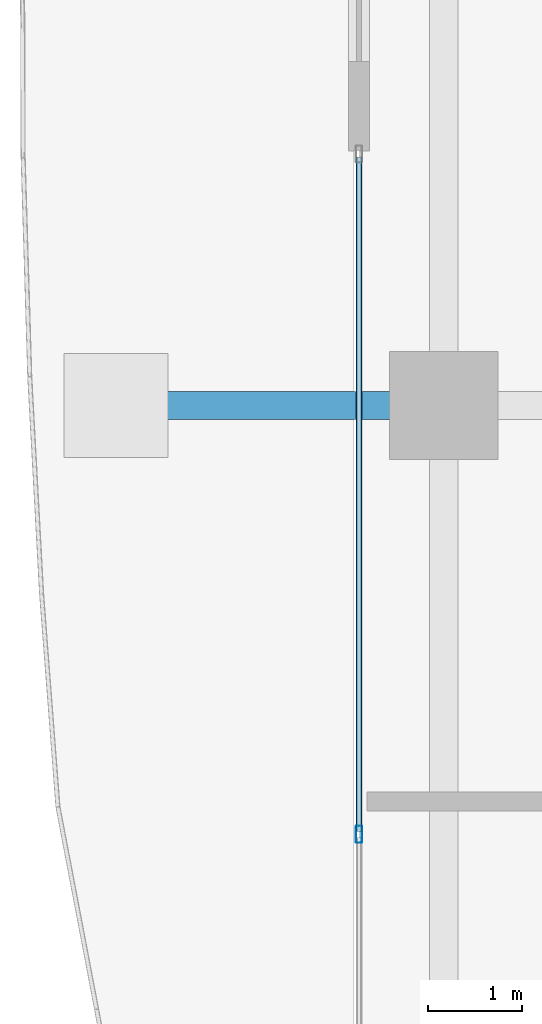
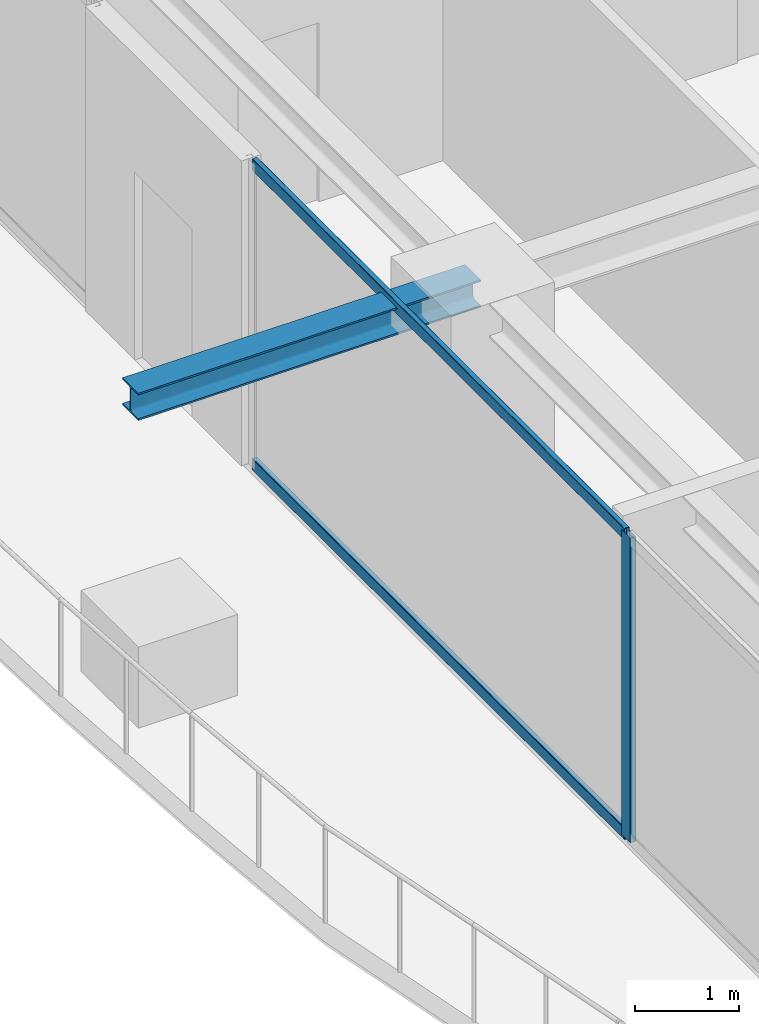
# One storey, part 7 of 35: 3 members, 1 beam, 1 element without a shape of its own.
"""IFC4 building model written with IfcOpenShell, lengths in metres."""

from ifc_helpers import new_model, si_unit, direction, frame, origin, origin_2d, place, context, subcontext, project, spatial, hollow_rectangle, i_section, extrude, source, transform, mapped, material, layer, layer_set, material_profile, profile_set, type_object, element, aggregate, save


model = new_model("IFC4")

# Units and contexts
model_context = context("Model", 3, precision=1e-05, world=origin(), true_north=direction((0.0, 1.0)))
body_context = subcontext(model_context, "Body", "Model", "MODEL_VIEW")
ifc_project = project(units=[si_unit("LENGTHUNIT", "METRE"), si_unit("AREAUNIT", "SQUARE_METRE"), si_unit("VOLUMEUNIT", "CUBIC_METRE"), si_unit("PLANEANGLEUNIT", "RADIAN"), si_unit("MASSUNIT", "GRAM", prefix="KILO")], contexts=[model_context])

# Site, building, storey
site_placement = place(None, origin())
site = spatial("IfcSite", under=ifc_project, at=site_placement, CompositionType="ELEMENT")
building_placement = place(site_placement, origin())
building = spatial("IfcBuilding", under=site, at=building_placement, Name="Serunith Strait Residences", CompositionType="ELEMENT")
storey_placement = place(building_placement, frame((0.0, 0.0, 214.300048828125)))
storey = spatial("IfcBuildingStorey", under=building, at=storey_placement, Name="L53", CompositionType="ELEMENT", Elevation=214.300048828125)

# Beam
ifc_material_1 = material(Name="Steel S355J2", Category="steel")
ifc_material_profile_1 = material_profile(ifc_material_1, i_section(OverallWidth=0.300048828125, OverallDepth=0.320068359375, WebThickness=0.011474609375, FlangeThickness=0.0205078125, FilletRadius=0.027099609375, at=origin_2d()), Name="HEB 320")
ifc_profile_set_1 = profile_set([ifc_material_profile_1], Name="Steel S355J2")
beam_type = type_object("IfcBeamType", Name="BM-HEB320", PredefinedType="BEAM", material=ifc_profile_set_1)
shared_shape_1 = source(origin(), body_context, "Body", "SweptSolid", [
    extrude(i_section(OverallWidth=0.300048828125, OverallDepth=0.320068359375, WebThickness=0.011474609375, FlangeThickness=0.0205078125, FilletRadius=0.027099609375, at=origin_2d()), origin(), (0.0, 0.0, 1.0), 3.800048828125),
])
beam_placement = place(storey_placement, frame((8.300048828125, 21.0, 3.39697265625), z_axis=(-1.0, 0.0, 0.0), x_axis=(0.0, -1.0, 0.0)))
element("IfcBeam", 1, at=beam_placement, inside=storey, type_object=beam_type, Name="L54 Cantilevered Balcony Rib TC-W2", PredefinedType="BEAM", context=body_context, shape_type="MappedRepresentation", body=[
    mapped(shared_shape_1, transform((0.0, 0.0, 0.0), scale=1.0)),
])

# Curtain wall, members
ifc_material_2 = material(Name="Pale-Champagne Anodised Aluminium", Category="aluminium")
ifc_layer = layer(ifc_material_2, 0.199951171875, Name="Pale-Champagne Anodised Aluminium")
ifc_layer_set = layer_set([ifc_layer], Name="Pale-Champagne Anodised Aluminium")
curtain_wall_type = type_object("IfcCurtainWallType", Name="CW-SYS4", PredefinedType="NOTDEFINED", material=ifc_layer_set)
curtain_wall_placement = place(storey_placement, origin())
curtain_wall = element("IfcCurtainWall", 2, at=curtain_wall_placement, inside=storey, type_object=curtain_wall_type, Name="L53 W Unitised Fritted Curtain Wall", PredefinedType="NOTDEFINED")
ifc_material_profile_2 = material_profile(ifc_material_2, hollow_rectangle(XDim=0.06494140625, YDim=0.179931640625, WallThickness=0.00341796875, InnerFilletRadius=0.00537109375, OuterFilletRadius=0.0087890625, at=origin_2d()), Name="ALU 180x65x3.5")
ifc_profile_set_2 = profile_set([ifc_material_profile_2], Name="Pale-Champagne Anodised Aluminium")
member_type_1 = type_object("IfcMemberType", Name="CW-SYS4-MULL", PredefinedType="MULLION", material=ifc_profile_set_2)
shared_shape_2 = source(origin(), body_context, "Body", "SweptSolid", [
    extrude(hollow_rectangle(XDim=0.06494140625, YDim=0.179931640625, WallThickness=0.00341796875, InnerFilletRadius=0.00537109375, OuterFilletRadius=0.0087890625, at=origin_2d()), origin(), (0.0, 0.0, 1.0), 3.574951171875),
])
member_1_placement = place(storey_placement, frame((7.39990234375, 16.449951171875, 0.0), z_axis=(0.0, 0.0, 1.0), x_axis=(1.0, 0.0, 0.0)))
member_1 = element("IfcMember", 3, at=member_1_placement, type_object=member_type_1, Name="CW-4 mullion 2", PredefinedType="MULLION", context=body_context, shape_type="MappedRepresentation", body=[
    mapped(shared_shape_2, transform((0.0, 0.0, 0.0), scale=1.0)),
])
ifc_material_profile_3 = material_profile(ifc_material_2, hollow_rectangle(XDim=0.06005859375, YDim=0.139892578125, WallThickness=0.00341796875, InnerFilletRadius=0.00537109375, OuterFilletRadius=0.0087890625, at=origin_2d()), Name="ALU 140x60x3.5")
ifc_profile_set_3 = profile_set([ifc_material_profile_3], Name="Pale-Champagne Anodised Aluminium")
member_type_2 = type_object("IfcMemberType", Name="CW-SYS4-TRAN", PredefinedType="USERDEFINED", material=ifc_profile_set_3)
shared_shape_3 = source(origin(), body_context, "Body", "SweptSolid", [
    extrude(hollow_rectangle(XDim=0.06005859375, YDim=0.139892578125, WallThickness=0.00341796875, InnerFilletRadius=0.00537109375, OuterFilletRadius=0.0087890625, at=origin_2d()), origin(), (0.0, 0.0, 1.0), 7.152587890625),
])
member_2_placement = place(storey_placement, frame((7.39990234375, 23.635009765625, 0.030029296875), z_axis=(0.0, -1.0, 0.0), x_axis=(1.0, 0.0, 0.0)))
member_2 = element("IfcMember", 4, at=member_2_placement, type_object=member_type_2, Name="CW-4 transom 1.1", ObjectType="TRANSOM", PredefinedType="USERDEFINED", context=body_context, shape_type="MappedRepresentation", body=[
    mapped(shared_shape_3, transform((0.0, 0.0, 0.0), scale=1.0)),
])
member_3_placement = place(storey_placement, frame((7.39990234375, 23.635009765625, 3.544921875), z_axis=(0.0, -1.0, 0.0), x_axis=(1.0, 0.0, 0.0)))
member_3 = element("IfcMember", 5, at=member_3_placement, type_object=member_type_2, Name="CW-4 transom 1.2", ObjectType="TRANSOM", PredefinedType="USERDEFINED", context=body_context, shape_type="MappedRepresentation", body=[
    mapped(shared_shape_3, transform((0.0, 0.0, 0.0), scale=1.0)),
])
aggregate(curtain_wall, [member_1, member_2, member_3])

save(model, "model.ifc")
